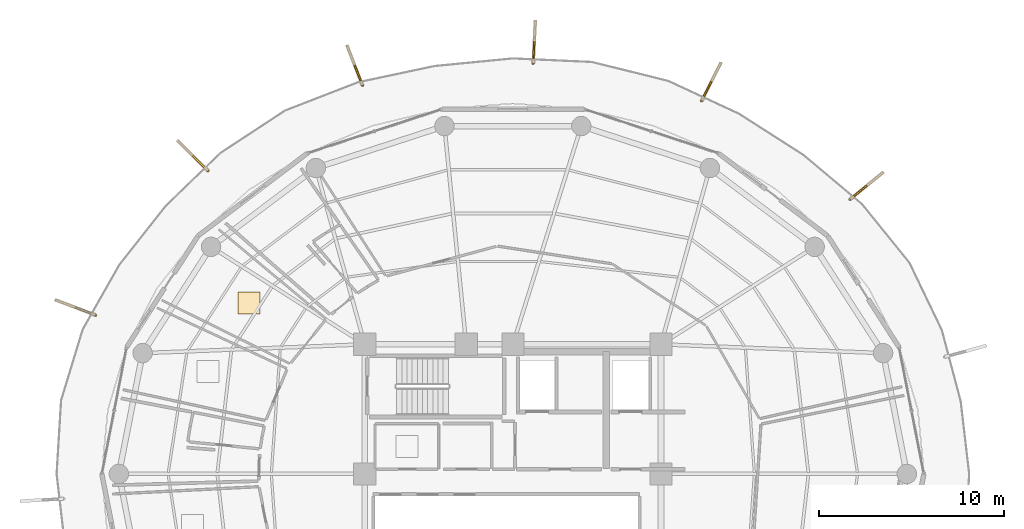
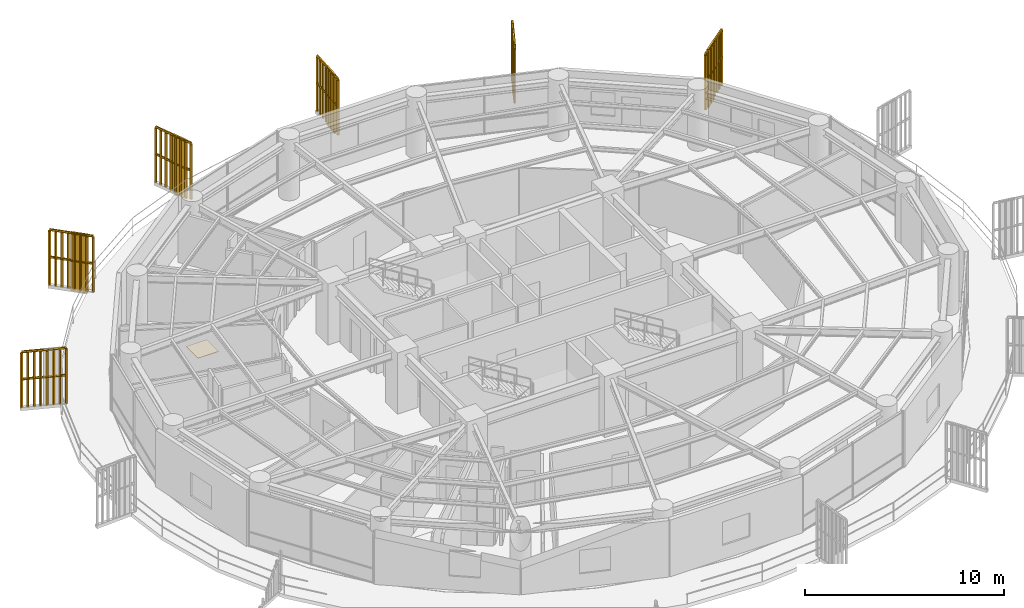
# One storey, part 31 of 31: 6 railings, 5 shading devices, 1 covering.
"""IFC4 building model written with IfcOpenShell, lengths in metres."""

from ifc_helpers import new_model, si_unit, direction, frame, origin, origin_2d, place, context, subcontext, project, spatial, polyline, rectangle, outline, extrude, source, transform, mapped, material, layer, layer_set, type_object, element, save


model = new_model("IFC4")

# Units and contexts
model_context = context("Model", 3, precision=1e-05, world=origin(), true_north=direction((0.0, 1.0)))
body_context = subcontext(model_context, "Body", "Model", "MODEL_VIEW")
ifc_project = project(units=[si_unit("LENGTHUNIT", "METRE"), si_unit("AREAUNIT", "SQUARE_METRE"), si_unit("VOLUMEUNIT", "CUBIC_METRE"), si_unit("PLANEANGLEUNIT", "RADIAN"), si_unit("MASSUNIT", "GRAM", prefix="KILO")], contexts=[model_context])

# Site, building, storey
site_placement = place(None, origin())
site = spatial("IfcSite", under=ifc_project, at=site_placement, CompositionType="ELEMENT")
building_placement = place(site_placement, origin())
building = spatial("IfcBuilding", under=site, at=building_placement, Name="Kelanora Arch Commons", CompositionType="ELEMENT")
storey_placement = place(building_placement, frame((0.0, 0.0, 196.949951171875)))
storey = spatial("IfcBuildingStorey", under=building, at=storey_placement, Name="L50", CompositionType="ELEMENT", Elevation=196.949951171875)

# Railings
ifc_material_1 = material(Name="Anodised bronze vertical shading fin rib assembly")
railing_type = type_object("IfcRailingType", Name="RAIL-FIN-BRZ", PredefinedType="BALUSTRADE", material=ifc_material_1)
railing_1_placement = place(storey_placement, frame((92.212890625, 72.834716796875, -0.02001953125)))
element("IfcRailing", 1, at=railing_1_placement, inside=storey, type_object=railing_type, Name="Sweeping Bronze Vertical Fin Blade L50-03", PredefinedType="BALUSTRADE", context=body_context, shape_type="SweptSolid", body=[
    extrude(outline(polyline([(0.06982421875, 0.0), (0.034912109375, 0.060546875), (-0.034912109375, 0.060546875), (-0.06982421875, 0.0), (-0.034912109375, -0.060546875), (0.034912109375, -0.060546875), (0.06982421875, 0.0)])), frame((0.0, 0.0, 3.419921875), z_axis=(0.775378861541, 0.631496334966, 0.0), x_axis=(-0.631496334966, 0.775378861541, 0.0)), (0.0, 0.0, 1.0), 2.277099609375),
    extrude(outline(polyline([(0.06982421875, 0.0), (0.034912109375, 0.060546875), (-0.034912109375, 0.060546875), (-0.06982421875, 0.0), (-0.034912109375, -0.060546875), (0.034912109375, -0.060546875), (0.06982421875, 0.0)])), frame((0.0, 0.0, 1.7451171875), z_axis=(0.775378861541, 0.631496334966, 0.0), x_axis=(-0.631496334966, 0.775378861541, 0.0)), (0.0, 0.0, 1.0), 2.277099609375),
    extrude(outline(polyline([(0.080078125, 0.0), (0.0400390625, 0.0693359375), (-0.0400390625, 0.0693359375), (-0.080078125, 0.0), (-0.0400390625, -0.0693359375), (0.0400390625, -0.0693359375), (0.080078125, 0.0)])), origin(), (0.0, 0.0, 1.0), 3.35009765625),
    extrude(outline(polyline([(0.080078125, 0.0), (0.0400390625, 0.0693359375), (-0.0400390625, 0.0693359375), (-0.080078125, 0.0), (-0.0400390625, -0.0693359375), (0.0400390625, -0.0693359375), (0.080078125, 0.0)])), frame((0.252197265625, 0.205322265625, 0.0)), (0.0, 0.0, 1.0), 3.35009765625),
    extrude(outline(polyline([(0.080078125, 0.0), (0.0400390625, 0.0693359375), (-0.0400390625, 0.0693359375), (-0.080078125, 0.0), (-0.0400390625, -0.0693359375), (0.0400390625, -0.0693359375), (0.080078125, 0.0)])), frame((0.50439453125, 0.410888671875, 0.0)), (0.0, 0.0, 1.0), 3.35009765625),
    extrude(outline(polyline([(0.080078125, 0.0), (0.0400390625, 0.0693359375), (-0.0400390625, 0.0693359375), (-0.080078125, 0.0), (-0.0400390625, -0.0693359375), (0.0400390625, -0.0693359375), (0.080078125, 0.0)])), frame((0.756591796875, 0.6162109375, 0.0)), (0.0, 0.0, 1.0), 3.35009765625),
    extrude(outline(polyline([(0.080078125, 0.0), (0.0400390625, 0.0693359375), (-0.0400390625, 0.0693359375), (-0.080078125, 0.0), (-0.0400390625, -0.0693359375), (0.0400390625, -0.0693359375), (0.080078125, 0.0)])), frame((1.009033203125, 0.82177734375, 0.0)), (0.0, 0.0, 1.0), 3.35009765625),
    extrude(outline(polyline([(0.080078125, 0.0), (0.0400390625, 0.0693359375), (-0.0400390625, 0.0693359375), (-0.080078125, 0.0), (-0.0400390625, -0.0693359375), (0.0400390625, -0.0693359375), (0.080078125, 0.0)])), frame((1.26123046875, 1.027099609375, 0.0)), (0.0, 0.0, 1.0), 3.35009765625),
    extrude(outline(polyline([(0.080078125, 0.0), (0.0400390625, 0.0693359375), (-0.0400390625, 0.0693359375), (-0.080078125, 0.0), (-0.0400390625, -0.0693359375), (0.0400390625, -0.0693359375), (0.080078125, 0.0)])), frame((1.513427734375, 1.232666015625, 0.0)), (0.0, 0.0, 1.0), 3.35009765625),
    extrude(outline(polyline([(0.080078125, 0.0), (0.0400390625, 0.0693359375), (-0.0400390625, 0.0693359375), (-0.080078125, 0.0), (-0.0400390625, -0.0693359375), (0.0400390625, -0.0693359375), (0.080078125, 0.0)])), frame((1.765625, 1.43798828125, 0.0)), (0.0, 0.0, 1.0), 3.35009765625),
])
railing_2_placement = place(storey_placement, frame((84.194580078125, 78.1494140625, -0.02001953125)))
element("IfcRailing", 2, at=railing_2_placement, inside=storey, type_object=railing_type, Name="Sweeping Bronze Vertical Fin Blade L50-04", PredefinedType="BALUSTRADE", context=body_context, shape_type="SweptSolid", body=[
    extrude(outline(polyline([(0.06982421875, 0.0), (0.034912109375, 0.060546875), (-0.034912109375, 0.060546875), (-0.06982421875, 0.0), (-0.034912109375, -0.060546875), (0.034912109375, -0.060546875), (0.06982421875, 0.0)])), frame((0.0, 0.0, 3.419921875), z_axis=(0.451411827004, 0.892315730244, 0.0), x_axis=(-0.892315730244, 0.451411827004, 0.0)), (0.0, 0.0, 1.0), 2.27685546875),
    extrude(outline(polyline([(0.06982421875, 0.0), (0.034912109375, 0.060546875), (-0.034912109375, 0.060546875), (-0.06982421875, 0.0), (-0.034912109375, -0.060546875), (0.034912109375, -0.060546875), (0.06982421875, 0.0)])), frame((0.0, 0.0, 1.7451171875), z_axis=(0.451411827004, 0.892315730244, 0.0), x_axis=(-0.892315730244, 0.451411827004, 0.0)), (0.0, 0.0, 1.0), 2.27685546875),
    extrude(outline(polyline([(0.080078125, 0.0), (0.0400390625, 0.0693359375), (-0.0400390625, 0.0693359375), (-0.080078125, 0.0), (-0.0400390625, -0.0693359375), (0.0400390625, -0.0693359375), (0.080078125, 0.0)])), origin(), (0.0, 0.0, 1.0), 3.35009765625),
    extrude(outline(polyline([(0.080078125, 0.0), (0.0400390625, 0.0693359375), (-0.0400390625, 0.0693359375), (-0.080078125, 0.0), (-0.0400390625, -0.0693359375), (0.0400390625, -0.0693359375), (0.080078125, 0.0)])), frame((0.146728515625, 0.290283203125, 0.0)), (0.0, 0.0, 1.0), 3.35009765625),
    extrude(outline(polyline([(0.080078125, 0.0), (0.0400390625, 0.0693359375), (-0.0400390625, 0.0693359375), (-0.080078125, 0.0), (-0.0400390625, -0.0693359375), (0.0400390625, -0.0693359375), (0.080078125, 0.0)])), frame((0.293701171875, 0.58056640625, 0.0)), (0.0, 0.0, 1.0), 3.35009765625),
    extrude(outline(polyline([(0.080078125, 0.0), (0.0400390625, 0.0693359375), (-0.0400390625, 0.0693359375), (-0.080078125, 0.0), (-0.0400390625, -0.0693359375), (0.0400390625, -0.0693359375), (0.080078125, 0.0)])), frame((0.4404296875, 0.870849609375, 0.0)), (0.0, 0.0, 1.0), 3.35009765625),
    extrude(outline(polyline([(0.080078125, 0.0), (0.0400390625, 0.0693359375), (-0.0400390625, 0.0693359375), (-0.080078125, 0.0), (-0.0400390625, -0.0693359375), (0.0400390625, -0.0693359375), (0.080078125, 0.0)])), frame((0.58740234375, 1.160888671875, 0.0)), (0.0, 0.0, 1.0), 3.35009765625),
    extrude(outline(polyline([(0.080078125, 0.0), (0.0400390625, 0.0693359375), (-0.0400390625, 0.0693359375), (-0.080078125, 0.0), (-0.0400390625, -0.0693359375), (0.0400390625, -0.0693359375), (0.080078125, 0.0)])), frame((0.734130859375, 1.451171875, 0.0)), (0.0, 0.0, 1.0), 3.35009765625),
    extrude(outline(polyline([(0.080078125, 0.0), (0.0400390625, 0.0693359375), (-0.0400390625, 0.0693359375), (-0.080078125, 0.0), (-0.0400390625, -0.0693359375), (0.0400390625, -0.0693359375), (0.080078125, 0.0)])), frame((0.881103515625, 1.741455078125, 0.0)), (0.0, 0.0, 1.0), 3.35009765625),
    extrude(outline(polyline([(0.080078125, 0.0), (0.0400390625, 0.0693359375), (-0.0400390625, 0.0693359375), (-0.080078125, 0.0), (-0.0400390625, -0.0693359375), (0.0400390625, -0.0693359375), (0.080078125, 0.0)])), frame((1.02783203125, 2.03173828125, 0.0)), (0.0, 0.0, 1.0), 3.35009765625),
])
railing_3_placement = place(storey_placement, frame((75.098876953125, 80.17431640625, -0.02001953125)))
element("IfcRailing", 3, at=railing_3_placement, inside=storey, type_object=railing_type, Name="Sweeping Bronze Vertical Fin Blade L50-05", PredefinedType="BALUSTRADE", context=body_context, shape_type="SweptSolid", body=[
    extrude(outline(polyline([(0.06982421875, 0.0), (0.034912109375, 0.060546875), (-0.034912109375, 0.060546875), (-0.06982421875, 0.0), (-0.034912109375, -0.060546875), (0.034912109375, -0.060546875), (0.06982421875, 0.0)])), frame((0.0, 0.0, 3.419921875), z_axis=(0.049536533365, 0.998772312323, 0.0), x_axis=(-0.998772312323, 0.049536533365, 0.0)), (0.0, 0.0, 1.0), 2.27685546875),
    extrude(outline(polyline([(0.06982421875, 0.0), (0.034912109375, 0.060546875), (-0.034912109375, 0.060546875), (-0.06982421875, 0.0), (-0.034912109375, -0.060546875), (0.034912109375, -0.060546875), (0.06982421875, 0.0)])), frame((0.0, 0.0, 1.7451171875), z_axis=(0.049536533365, 0.998772312323, 0.0), x_axis=(-0.998772312323, 0.049536533365, 0.0)), (0.0, 0.0, 1.0), 2.27685546875),
    extrude(outline(polyline([(0.080078125, 0.0), (0.0400390625, 0.0693359375), (-0.0400390625, 0.0693359375), (-0.080078125, 0.0), (-0.0400390625, -0.0693359375), (0.0400390625, -0.0693359375), (0.080078125, 0.0)])), origin(), (0.0, 0.0, 1.0), 3.35009765625),
    extrude(outline(polyline([(0.080078125, 0.0), (0.0400390625, 0.0693359375), (-0.0400390625, 0.0693359375), (-0.080078125, 0.0), (-0.0400390625, -0.0693359375), (0.0400390625, -0.0693359375), (0.080078125, 0.0)])), frame((0.01611328125, 0.324951171875, 0.0)), (0.0, 0.0, 1.0), 3.35009765625),
    extrude(outline(polyline([(0.080078125, 0.0), (0.0400390625, 0.0693359375), (-0.0400390625, 0.0693359375), (-0.080078125, 0.0), (-0.0400390625, -0.0693359375), (0.0400390625, -0.0693359375), (0.080078125, 0.0)])), frame((0.0322265625, 0.649658203125, 0.0)), (0.0, 0.0, 1.0), 3.35009765625),
    extrude(outline(polyline([(0.080078125, 0.0), (0.0400390625, 0.0693359375), (-0.0400390625, 0.0693359375), (-0.080078125, 0.0), (-0.0400390625, -0.0693359375), (0.0400390625, -0.0693359375), (0.080078125, 0.0)])), frame((0.04833984375, 0.974609375, 0.0)), (0.0, 0.0, 1.0), 3.35009765625),
    extrude(outline(polyline([(0.080078125, 0.0), (0.0400390625, 0.0693359375), (-0.0400390625, 0.0693359375), (-0.080078125, 0.0), (-0.0400390625, -0.0693359375), (0.0400390625, -0.0693359375), (0.080078125, 0.0)])), frame((0.064453125, 1.299560546875, 0.0)), (0.0, 0.0, 1.0), 3.35009765625),
    extrude(outline(polyline([(0.080078125, 0.0), (0.0400390625, 0.0693359375), (-0.0400390625, 0.0693359375), (-0.080078125, 0.0), (-0.0400390625, -0.0693359375), (0.0400390625, -0.0693359375), (0.080078125, 0.0)])), frame((0.08056640625, 1.62451171875, 0.0)), (0.0, 0.0, 1.0), 3.35009765625),
    extrude(outline(polyline([(0.080078125, 0.0), (0.0400390625, 0.0693359375), (-0.0400390625, 0.0693359375), (-0.080078125, 0.0), (-0.0400390625, -0.0693359375), (0.0400390625, -0.0693359375), (0.080078125, 0.0)])), frame((0.0966796875, 1.94921875, 0.0)), (0.0, 0.0, 1.0), 3.35009765625),
    extrude(outline(polyline([(0.080078125, 0.0), (0.0400390625, 0.0693359375), (-0.0400390625, 0.0693359375), (-0.080078125, 0.0), (-0.0400390625, -0.0693359375), (0.0400390625, -0.0693359375), (0.080078125, 0.0)])), frame((0.11279296875, 2.274169921875, 0.0)), (0.0, 0.0, 1.0), 3.35009765625),
])
railing_4_placement = place(storey_placement, frame((65.8759765625, 78.985107421875, -0.02001953125)))
element("IfcRailing", 4, at=railing_4_placement, inside=storey, type_object=railing_type, Name="Sweeping Bronze Vertical Fin Blade L50-06", PredefinedType="BALUSTRADE", context=body_context, shape_type="SweptSolid", body=[
    extrude(outline(polyline([(0.06982421875, 0.0), (0.034912109375, 0.060546875), (-0.034912109375, 0.060546875), (-0.06982421875, 0.0), (-0.034912109375, -0.060546875), (0.034912109375, -0.060546875), (0.06982421875, 0.0)])), frame((0.0, 0.0, 3.419921875), z_axis=(-0.361033208547, 0.932552959529, 0.0), x_axis=(-0.932552959529, -0.361033208547, 0.0)), (0.0, 0.0, 1.0), 2.27685546875),
    extrude(outline(polyline([(0.06982421875, 0.0), (0.034912109375, 0.060546875), (-0.034912109375, 0.060546875), (-0.06982421875, 0.0), (-0.034912109375, -0.060546875), (0.034912109375, -0.060546875), (0.06982421875, 0.0)])), frame((0.0, 0.0, 1.7451171875), z_axis=(-0.361033208547, 0.932552959529, 0.0), x_axis=(-0.932552959529, -0.361033208547, 0.0)), (0.0, 0.0, 1.0), 2.27685546875),
    extrude(outline(polyline([(0.080078125, 0.0), (0.0400390625, 0.0693359375), (-0.0400390625, 0.0693359375), (-0.080078125, 0.0), (-0.0400390625, -0.0693359375), (0.0400390625, -0.0693359375), (0.080078125, 0.0)])), origin(), (0.0, 0.0, 1.0), 3.35009765625),
    extrude(outline(polyline([(0.080078125, 0.0), (0.0400390625, 0.0693359375), (-0.0400390625, 0.0693359375), (-0.080078125, 0.0), (-0.0400390625, -0.0693359375), (0.0400390625, -0.0693359375), (0.080078125, 0.0)])), frame((-0.117431640625, 0.30322265625, 0.0)), (0.0, 0.0, 1.0), 3.35009765625),
    extrude(outline(polyline([(0.080078125, 0.0), (0.0400390625, 0.0693359375), (-0.0400390625, 0.0693359375), (-0.080078125, 0.0), (-0.0400390625, -0.0693359375), (0.0400390625, -0.0693359375), (0.080078125, 0.0)])), frame((-0.23486328125, 0.606689453125, 0.0)), (0.0, 0.0, 1.0), 3.35009765625),
    extrude(outline(polyline([(0.080078125, 0.0), (0.0400390625, 0.0693359375), (-0.0400390625, 0.0693359375), (-0.080078125, 0.0), (-0.0400390625, -0.0693359375), (0.0400390625, -0.0693359375), (0.080078125, 0.0)])), frame((-0.352294921875, 0.909912109375, 0.0)), (0.0, 0.0, 1.0), 3.35009765625),
    extrude(outline(polyline([(0.080078125, 0.0), (0.0400390625, 0.0693359375), (-0.0400390625, 0.0693359375), (-0.080078125, 0.0), (-0.0400390625, -0.0693359375), (0.0400390625, -0.0693359375), (0.080078125, 0.0)])), frame((-0.4697265625, 1.21337890625, 0.0)), (0.0, 0.0, 1.0), 3.35009765625),
    extrude(outline(polyline([(0.080078125, 0.0), (0.0400390625, 0.0693359375), (-0.0400390625, 0.0693359375), (-0.080078125, 0.0), (-0.0400390625, -0.0693359375), (0.0400390625, -0.0693359375), (0.080078125, 0.0)])), frame((-0.587158203125, 1.5166015625, 0.0)), (0.0, 0.0, 1.0), 3.35009765625),
    extrude(outline(polyline([(0.080078125, 0.0), (0.0400390625, 0.0693359375), (-0.0400390625, 0.0693359375), (-0.080078125, 0.0), (-0.0400390625, -0.0693359375), (0.0400390625, -0.0693359375), (0.080078125, 0.0)])), frame((-0.70458984375, 1.820068359375, 0.0)), (0.0, 0.0, 1.0), 3.35009765625),
    extrude(outline(polyline([(0.080078125, 0.0), (0.0400390625, 0.0693359375), (-0.0400390625, 0.0693359375), (-0.080078125, 0.0), (-0.0400390625, -0.0693359375), (0.0400390625, -0.0693359375), (0.080078125, 0.0)])), frame((-0.822021484375, 2.123291015625, 0.0)), (0.0, 0.0, 1.0), 3.35009765625),
])
railing_5_placement = place(storey_placement, frame((57.53076171875, 74.375732421875, -0.02001953125)))
element("IfcRailing", 5, at=railing_5_placement, inside=storey, type_object=railing_type, Name="Sweeping Bronze Vertical Fin Blade L50-07", PredefinedType="BALUSTRADE", context=body_context, shape_type="SweptSolid", body=[
    extrude(outline(polyline([(0.06982421875, 0.0), (0.034912109375, 0.060546875), (-0.034912109375, 0.060546875), (-0.06982421875, 0.0), (-0.034912109375, -0.060546875), (0.034912109375, -0.060546875), (0.06982421875, 0.0)])), frame((0.0, 0.0, 3.419921875), z_axis=(-0.70914099199, 0.70506670144, 0.0), x_axis=(-0.70506670144, -0.70914099199, 0.0)), (0.0, 0.0, 1.0), 2.277099609375),
    extrude(outline(polyline([(0.06982421875, 0.0), (0.034912109375, 0.060546875), (-0.034912109375, 0.060546875), (-0.06982421875, 0.0), (-0.034912109375, -0.060546875), (0.034912109375, -0.060546875), (0.06982421875, 0.0)])), frame((0.0, 0.0, 1.7451171875), z_axis=(-0.70914099199, 0.70506670144, 0.0), x_axis=(-0.70506670144, -0.70914099199, 0.0)), (0.0, 0.0, 1.0), 2.277099609375),
    extrude(outline(polyline([(0.080078125, 0.0), (0.0400390625, 0.0693359375), (-0.0400390625, 0.0693359375), (-0.080078125, 0.0), (-0.0400390625, -0.0693359375), (0.0400390625, -0.0693359375), (0.080078125, 0.0)])), origin(), (0.0, 0.0, 1.0), 3.35009765625),
    extrude(outline(polyline([(0.080078125, 0.0), (0.0400390625, 0.0693359375), (-0.0400390625, 0.0693359375), (-0.080078125, 0.0), (-0.0400390625, -0.0693359375), (0.0400390625, -0.0693359375), (0.080078125, 0.0)])), frame((-0.230712890625, 0.229248046875, 0.0)), (0.0, 0.0, 1.0), 3.35009765625),
    extrude(outline(polyline([(0.080078125, 0.0), (0.0400390625, 0.0693359375), (-0.0400390625, 0.0693359375), (-0.080078125, 0.0), (-0.0400390625, -0.0693359375), (0.0400390625, -0.0693359375), (0.080078125, 0.0)])), frame((-0.46142578125, 0.458740234375, 0.0)), (0.0, 0.0, 1.0), 3.35009765625),
    extrude(outline(polyline([(0.080078125, 0.0), (0.0400390625, 0.0693359375), (-0.0400390625, 0.0693359375), (-0.080078125, 0.0), (-0.0400390625, -0.0693359375), (0.0400390625, -0.0693359375), (0.080078125, 0.0)])), frame((-0.692138671875, 0.68798828125, 0.0)), (0.0, 0.0, 1.0), 3.35009765625),
    extrude(outline(polyline([(0.080078125, 0.0), (0.0400390625, 0.0693359375), (-0.0400390625, 0.0693359375), (-0.080078125, 0.0), (-0.0400390625, -0.0693359375), (0.0400390625, -0.0693359375), (0.080078125, 0.0)])), frame((-0.922607421875, 0.91748046875, 0.0)), (0.0, 0.0, 1.0), 3.35009765625),
    extrude(outline(polyline([(0.080078125, 0.0), (0.0400390625, 0.0693359375), (-0.0400390625, 0.0693359375), (-0.080078125, 0.0), (-0.0400390625, -0.0693359375), (0.0400390625, -0.0693359375), (0.080078125, 0.0)])), frame((-1.1533203125, 1.146728515625, 0.0)), (0.0, 0.0, 1.0), 3.35009765625),
    extrude(outline(polyline([(0.080078125, 0.0), (0.0400390625, 0.0693359375), (-0.0400390625, 0.0693359375), (-0.080078125, 0.0), (-0.0400390625, -0.0693359375), (0.0400390625, -0.0693359375), (0.080078125, 0.0)])), frame((-1.384033203125, 1.376220703125, 0.0)), (0.0, 0.0, 1.0), 3.35009765625),
    extrude(outline(polyline([(0.080078125, 0.0), (0.0400390625, 0.0693359375), (-0.0400390625, 0.0693359375), (-0.080078125, 0.0), (-0.0400390625, -0.0693359375), (0.0400390625, -0.0693359375), (0.080078125, 0.0)])), frame((-1.61474609375, 1.60546875, 0.0)), (0.0, 0.0, 1.0), 3.35009765625),
])
railing_6_placement = place(storey_placement, frame((51.455322265625, 66.58056640625, -0.02001953125)))
element("IfcRailing", 6, at=railing_6_placement, inside=storey, type_object=railing_type, Name="Sweeping Bronze Vertical Fin Blade L50-08", PredefinedType="BALUSTRADE", context=body_context, shape_type="SweptSolid", body=[
    extrude(outline(polyline([(0.06982421875, 0.0), (0.034912109375, 0.060546875), (-0.034912109375, 0.060546875), (-0.06982421875, 0.0), (-0.034912109375, -0.060546875), (0.034912109375, -0.060546875), (0.06982421875, 0.0)])), frame((0.0, 0.0, 3.419921875), z_axis=(-0.934608287426, 0.355678716084, 0.0), x_axis=(-0.355678716084, -0.934608287426, 0.0)), (0.0, 0.0, 1.0), 2.27685546875),
    extrude(outline(polyline([(0.06982421875, 0.0), (0.034912109375, 0.060546875), (-0.034912109375, 0.060546875), (-0.06982421875, 0.0), (-0.034912109375, -0.060546875), (0.034912109375, -0.060546875), (0.06982421875, 0.0)])), frame((0.0, 0.0, 1.7451171875), z_axis=(-0.934608287426, 0.355678716084, 0.0), x_axis=(-0.355678716084, -0.934608287426, 0.0)), (0.0, 0.0, 1.0), 2.27685546875),
    extrude(outline(polyline([(0.080078125, 0.0), (0.0400390625, 0.0693359375), (-0.0400390625, 0.0693359375), (-0.080078125, 0.0), (-0.0400390625, -0.0693359375), (0.0400390625, -0.0693359375), (0.080078125, 0.0)])), origin(), (0.0, 0.0, 1.0), 3.35009765625),
    extrude(outline(polyline([(0.080078125, 0.0), (0.0400390625, 0.0693359375), (-0.0400390625, 0.0693359375), (-0.080078125, 0.0), (-0.0400390625, -0.0693359375), (0.0400390625, -0.0693359375), (0.080078125, 0.0)])), frame((-0.303955078125, 0.11572265625, 0.0)), (0.0, 0.0, 1.0), 3.35009765625),
    extrude(outline(polyline([(0.080078125, 0.0), (0.0400390625, 0.0693359375), (-0.0400390625, 0.0693359375), (-0.080078125, 0.0), (-0.0400390625, -0.0693359375), (0.0400390625, -0.0693359375), (0.080078125, 0.0)])), frame((-0.60791015625, 0.2314453125, 0.0)), (0.0, 0.0, 1.0), 3.35009765625),
    extrude(outline(polyline([(0.080078125, 0.0), (0.0400390625, 0.0693359375), (-0.0400390625, 0.0693359375), (-0.080078125, 0.0), (-0.0400390625, -0.0693359375), (0.0400390625, -0.0693359375), (0.080078125, 0.0)])), frame((-0.911865234375, 0.34716796875, 0.0)), (0.0, 0.0, 1.0), 3.35009765625),
    extrude(outline(polyline([(0.080078125, 0.0), (0.0400390625, 0.0693359375), (-0.0400390625, 0.0693359375), (-0.080078125, 0.0), (-0.0400390625, -0.0693359375), (0.0400390625, -0.0693359375), (0.080078125, 0.0)])), frame((-1.216064453125, 0.462646484375, 0.0)), (0.0, 0.0, 1.0), 3.35009765625),
    extrude(outline(polyline([(0.080078125, 0.0), (0.0400390625, 0.0693359375), (-0.0400390625, 0.0693359375), (-0.080078125, 0.0), (-0.0400390625, -0.0693359375), (0.0400390625, -0.0693359375), (0.080078125, 0.0)])), frame((-1.52001953125, 0.578369140625, 0.0)), (0.0, 0.0, 1.0), 3.35009765625),
    extrude(outline(polyline([(0.080078125, 0.0), (0.0400390625, 0.0693359375), (-0.0400390625, 0.0693359375), (-0.080078125, 0.0), (-0.0400390625, -0.0693359375), (0.0400390625, -0.0693359375), (0.080078125, 0.0)])), frame((-1.823974609375, 0.694091796875, 0.0)), (0.0, 0.0, 1.0), 3.35009765625),
    extrude(outline(polyline([(0.080078125, 0.0), (0.0400390625, 0.0693359375), (-0.0400390625, 0.0693359375), (-0.080078125, 0.0), (-0.0400390625, -0.0693359375), (0.0400390625, -0.0693359375), (0.080078125, 0.0)])), frame((-2.1279296875, 0.809814453125, 0.0)), (0.0, 0.0, 1.0), 3.35009765625),
])

# Shading devices
ifc_material_2 = material(Name="Terracotta ceramic-clad extruded aluminium fin", Category="masonry")
shading_device_type = type_object("IfcShadingDeviceType", Name="SHD-FIN-FLARE", PredefinedType="USERDEFINED", material=ifc_material_2)
shared_shape_1 = source(origin(), body_context, "Body", "SweptSolid", [
    extrude(rectangle(XDim=0.8798828125, YDim=0.090087890625, at=origin_2d()), origin(), (0.0, 0.0, 1.0), 3.610107421875),
])
for number, where, z_axis, x_axis, name in (
    (7, (92.771240234375, 73.289306640625, -0.14013671875), (0.0, 0.0, 1.0), (0.775385539511, 0.631488135373, 0.0), "Sweeping Terracotta Fin L50-03"),
    (8, (84.51953125, 78.791748046875, -0.14013671875), (0.0, 0.0, 1.0), (0.451500573218, 0.892270829056, 0.0), "Sweeping Terracotta Fin L50-04"),
    (9, (75.134521484375, 80.893310546875, -0.14013671875), (0.0, 0.0, 1.0), (0.049547056062, 0.998771790368, 0.0), "Sweeping Terracotta Fin L50-05"),
    (10, (65.6162109375, 79.656494140625, -0.14013671875), (0.0, 0.0, 1.0), (-0.360973597208, 0.93257603557, 0.0), "Sweeping Terracotta Fin L50-06"),
    (11, (57.020263671875, 74.88330078125, -0.14013671875), (0.0, 0.0, 1.0), (-0.709078636179, 0.705129412033, 0.0), "Sweeping Terracotta Fin L50-07"),
):
    element("IfcShadingDevice", number, at=place(storey_placement, frame(where, z_axis=z_axis, x_axis=x_axis)), inside=storey, type_object=shading_device_type, Name=name, ObjectType="FIN", PredefinedType="USERDEFINED", context=body_context, shape_type="MappedRepresentation", body=[
        mapped(shared_shape_1, transform((0.0, 0.0, 0.0), scale=1.0)),
    ])

# Covering
ifc_material_3 = material(Name="Polished local granite terrazzo flooring", Category="masonry")
ifc_layer = layer(ifc_material_3, 0.030029296875)
ifc_layer_set = layer_set([ifc_layer], Name="Polished local granite terrazzo flooring")
covering_type = type_object("IfcCoveringType", Name="COV-FLR-TER", PredefinedType="FLOORING", material=ifc_layer_set)
shared_shape_2 = source(origin(), body_context, "Body", "SweptSolid", [
    extrude(rectangle(XDim=1.199951171875, YDim=1.199951171875, at=origin_2d()), origin(), (0.0, 0.0, 1.0), 0.030029296875),
])
covering_placement = place(storey_placement, frame((59.748291015625, 67.23779296875, 0.0), z_axis=(0.0, 0.0, 1.0), x_axis=(1.0, 0.0, 0.0)))
element("IfcCovering", 12, at=covering_placement, inside=storey, type_object=covering_type, Name="Social Sky Lounge L50-02 Terrazzo Finish", PredefinedType="FLOORING", context=body_context, shape_type="MappedRepresentation", body=[
    mapped(shared_shape_2, transform((0.0, 0.0, 0.0), scale=1.0)),
])

save(model, "model.ifc")
